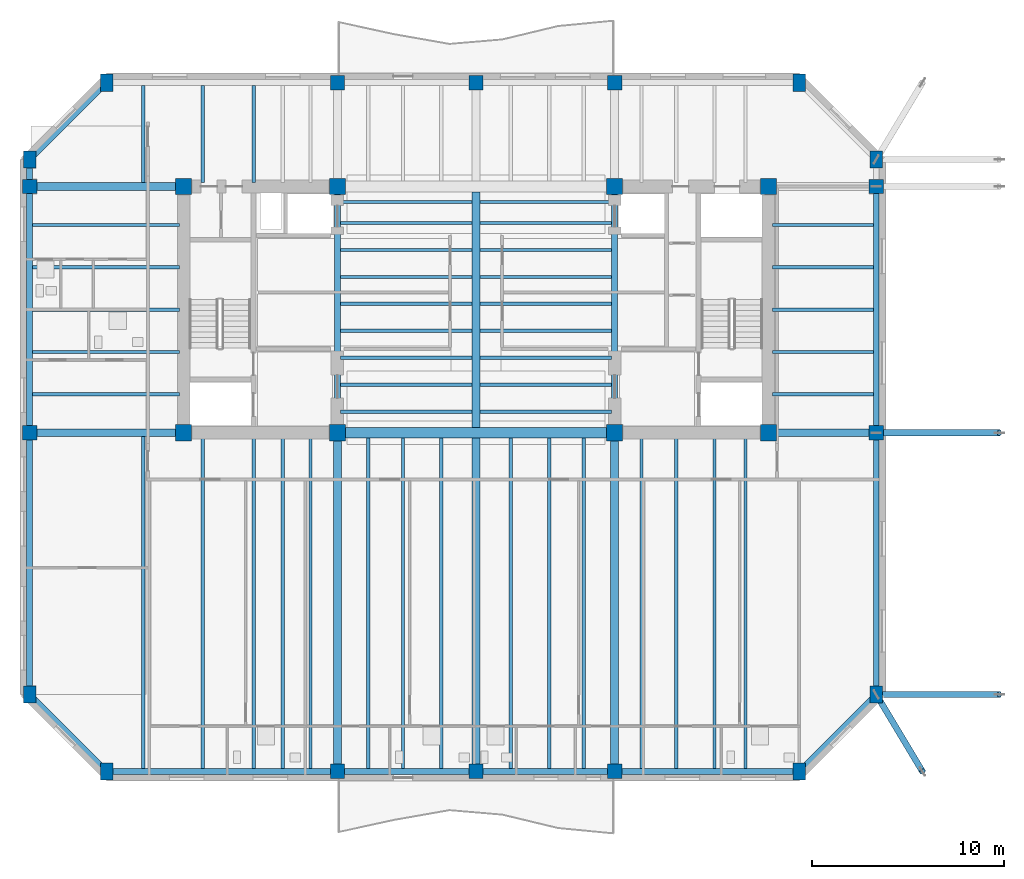
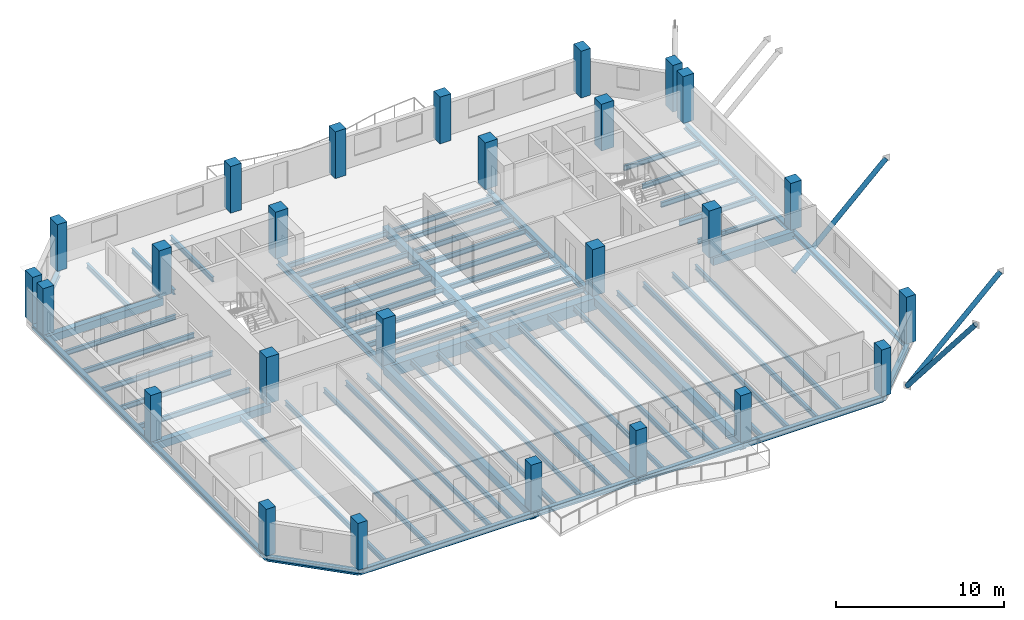
# One storey, part 1 of 12: 68 beams, 26 columns, 3 members.
"""IFC4 building model written with IfcOpenShell, lengths in metres."""

from ifc_helpers import new_model, si_unit, direction, frame, origin, origin_2d, place, context, subcontext, project, spatial, rectangle, hollow_circle, i_section, extrude, material, material_profile, profile_set, type_object, element, save


model = new_model("IFC4")

# Units and contexts
model_context = context("Model", 3, precision=1e-05, world=origin(), true_north=direction((0.0, 1.0)))
body_context = subcontext(model_context, "Body", "Model", "MODEL_VIEW")
ifc_project = project(units=[si_unit("LENGTHUNIT", "METRE"), si_unit("AREAUNIT", "SQUARE_METRE"), si_unit("VOLUMEUNIT", "CUBIC_METRE"), si_unit("PLANEANGLEUNIT", "RADIAN"), si_unit("MASSUNIT", "GRAM", prefix="KILO")], contexts=[model_context])

# Site, building, storey
site_placement = place(None, origin())
site = spatial("IfcSite", under=ifc_project, at=site_placement, CompositionType="ELEMENT")
building_placement = place(site_placement, origin())
building = spatial("IfcBuilding", under=site, at=building_placement, Name="Kranthara Brick Stack", CompositionType="ELEMENT")
storey_placement = place(building_placement, frame((0.0, 0.0, 224.5)))
storey = spatial("IfcBuildingStorey", under=building, at=storey_placement, Name="L58", CompositionType="ELEMENT", Elevation=224.5)

# Columns
ifc_material_1 = material(Name="Concrete C50/60", Category="concrete")
ifc_material_profile_1 = material_profile(ifc_material_1, rectangle(XDim=0.64990234375, YDim=0.89990234375, at=origin_2d()), Name="RC 650x900")
ifc_profile_set_1 = profile_set([ifc_material_profile_1], Name="Concrete C50/60")
column_type_1 = type_object("IfcColumnType", Name="COL-CHAM-650x900", PredefinedType="COLUMN", material=ifc_profile_set_1)
for number, where, z_axis, x_axis, name in (
    (1, (8.800048828125, 3.199951171875, 0.0), (0.0, 0.0, 1.0), (1.0, 0.0, 0.0), "L58 Column 09"),
    (2, (8.800048828125, 39.0, 0.0), (0.0, 0.0, 1.0), (1.0, 0.0, 0.0), "L58 Column 10"),
    (3, (44.800048828125, 3.199951171875, 0.0), (0.0, 0.0, 1.0), (1.0, 0.0, 0.0), "L58 Column 17"),
    (4, (44.800048828125, 39.0, 0.0), (0.0, 0.0, 1.0), (1.0, 0.0, 0.0), "L58 Column 18"),
    (5, (4.800048828125, 7.199951171875, 0.0), (0.0, 0.0, 1.0), (1.0, 0.0, 0.0), "L58 Column 19"),
    (6, (48.800048828125, 7.199951171875, 0.0), (0.0, 0.0, 1.0), (1.0, 0.0, 0.0), "L58 Column 20"),
    (7, (4.800048828125, 35.0, 0.0), (0.0, 0.0, 1.0), (1.0, 0.0, 0.0), "L58 Column 25"),
    (8, (48.800048828125, 35.0, 0.0), (0.0, 0.0, 1.0), (1.0, 0.0, 0.0), "L58 Column 26"),
):
    element("IfcColumn", number, at=place(storey_placement, frame(where, z_axis=z_axis, x_axis=x_axis)), inside=storey, type_object=column_type_1, Name=name, PredefinedType="COLUMN", context=body_context, shape_type="SweptSolid", body=[
        extrude(rectangle(XDim=0.64990234375, YDim=0.89990234375, at=origin_2d()), origin(), (0.0, 0.0, 1.0), 3.39990234375),
    ])
ifc_material_2 = material(Name="Concrete C50/60", Category="concrete")
ifc_material_profile_2 = material_profile(ifc_material_2, rectangle(XDim=0.85009765625, YDim=0.85009765625, at=origin_2d()), Name="RC 850x850")
ifc_profile_set_2 = profile_set([ifc_material_profile_2], Name="Concrete C50/60")
column_type_2 = type_object("IfcColumnType", Name="COL-CORE-850", PredefinedType="COLUMN", material=ifc_profile_set_2)
for number, where, z_axis, x_axis, name in (
    (9, (12.800048828125, 20.800048828125, 0.0), (0.0, 0.0, 1.0), (1.0, 0.0, 0.0), "L58 Column 01"),
    (10, (20.800048828125, 20.800048828125, 0.0), (0.0, 0.0, 1.0), (1.0, 0.0, 0.0), "L58 Column 02"),
    (11, (12.800048828125, 33.60009765625, 0.0), (0.0, 0.0, 1.0), (1.0, 0.0, 0.0), "L58 Column 03"),
    (12, (20.800048828125, 33.60009765625, 0.0), (0.0, 0.0, 1.0), (1.0, 0.0, 0.0), "L58 Column 04"),
    (13, (35.199951171875, 20.800048828125, 0.0), (0.0, 0.0, 1.0), (1.0, 0.0, 0.0), "L58 Column 05"),
    (14, (43.199951171875, 20.800048828125, 0.0), (0.0, 0.0, 1.0), (1.0, 0.0, 0.0), "L58 Column 06"),
    (15, (35.199951171875, 33.60009765625, 0.0), (0.0, 0.0, 1.0), (1.0, 0.0, 0.0), "L58 Column 07"),
    (16, (43.199951171875, 33.60009765625, 0.0), (0.0, 0.0, 1.0), (1.0, 0.0, 0.0), "L58 Column 08"),
):
    element("IfcColumn", number, at=place(storey_placement, frame(where, z_axis=z_axis, x_axis=x_axis)), inside=storey, type_object=column_type_2, Name=name, PredefinedType="COLUMN", context=body_context, shape_type="SweptSolid", body=[
        extrude(rectangle(XDim=0.85009765625, YDim=0.85009765625, at=origin_2d()), origin(), (0.0, 0.0, 1.0), 3.39990234375),
    ])
ifc_material_3 = material(Name="Concrete C50/60", Category="concrete")
ifc_material_profile_3 = material_profile(ifc_material_3, rectangle(XDim=0.75, YDim=0.75, at=origin_2d()), Name="RC 750x750")
ifc_profile_set_3 = profile_set([ifc_material_profile_3], Name="Concrete C50/60")
column_type_3 = type_object("IfcColumnType", Name="COL-PER-750", PredefinedType="COLUMN", material=ifc_profile_set_3)
for number, where, z_axis, x_axis, name in (
    (17, (20.800048828125, 3.199951171875, 0.0), (0.0, 0.0, 1.0), (1.0, 0.0, 0.0), "L58 Column 11"),
    (18, (20.800048828125, 39.0, 0.0), (0.0, 0.0, 1.0), (1.0, 0.0, 0.0), "L58 Column 12"),
    (19, (28.0, 3.199951171875, 0.0), (0.0, 0.0, 1.0), (1.0, 0.0, 0.0), "L58 Column 13"),
    (20, (28.0, 39.0, 0.0), (0.0, 0.0, 1.0), (1.0, 0.0, 0.0), "L58 Column 14"),
    (21, (35.199951171875, 3.199951171875, 0.0), (0.0, 0.0, 1.0), (1.0, 0.0, 0.0), "L58 Column 15"),
    (22, (35.199951171875, 39.0, 0.0), (0.0, 0.0, 1.0), (1.0, 0.0, 0.0), "L58 Column 16"),
    (23, (4.800048828125, 20.800048828125, 0.0), (0.0, 0.0, 1.0), (1.0, 0.0, 0.0), "L58 Column 21"),
    (24, (48.800048828125, 20.800048828125, 0.0), (0.0, 0.0, 1.0), (1.0, 0.0, 0.0), "L58 Column 22"),
    (25, (4.800048828125, 33.60009765625, 0.0), (0.0, 0.0, 1.0), (1.0, 0.0, 0.0), "L58 Column 23"),
    (26, (48.800048828125, 33.60009765625, 0.0), (0.0, 0.0, 1.0), (1.0, 0.0, 0.0), "L58 Column 24"),
):
    element("IfcColumn", number, at=place(storey_placement, frame(where, z_axis=z_axis, x_axis=x_axis)), inside=storey, type_object=column_type_3, Name=name, PredefinedType="COLUMN", context=body_context, shape_type="SweptSolid", body=[
        extrude(rectangle(XDim=0.75, YDim=0.75, at=origin_2d()), origin(), (0.0, 0.0, 1.0), 3.39990234375),
    ])

# Beams
ifc_material_4 = material(Name="Concrete C50/60", Category="concrete")
ifc_material_profile_4 = material_profile(ifc_material_4, rectangle(XDim=0.550048828125, YDim=0.85009765625, at=origin_2d()), Name="RC 550x850")
ifc_profile_set_4 = profile_set([ifc_material_profile_4], Name="Concrete C50/60")
beam_type_1 = type_object("IfcBeamType", Name="BM-CPL-RC850", PredefinedType="LINTEL", material=ifc_profile_set_4)
beam_1_placement = place(storey_placement, frame((20.800048828125, 20.800048828125, -0.72509765625), z_axis=(1.0, 0.0, 0.0), x_axis=(0.0, 1.0, 0.0)))
element("IfcBeam", 27, at=beam_1_placement, inside=storey, type_object=beam_type_1, Name="L58 Core Coupling Beam 001", PredefinedType="LINTEL", context=body_context, shape_type="SweptSolid", body=[
    extrude(rectangle(XDim=0.550048828125, YDim=0.85009765625, at=origin_2d()), origin(), (0.0, 0.0, 1.0), 14.39990234375),
])
ifc_material_5 = material(Name="Post-tensioned concrete C45/55", Category="concrete")
ifc_material_profile_5 = material_profile(ifc_material_5, rectangle(XDim=0.39990234375, YDim=0.550048828125, at=origin_2d()), Name="PT 400x550")
ifc_profile_set_5 = profile_set([ifc_material_profile_5], Name="Post-tensioned concrete C45/55")
beam_type_2 = type_object("IfcBeamType", Name="BM-FLR-PT550", PredefinedType="BEAM", material=ifc_profile_set_5)
beam_2_placement = place(storey_placement, frame((20.800048828125, 3.199951171875, -0.574951171875), z_axis=(0.0, 1.0, 0.0), x_axis=(-1.0, 0.0, 0.0)))
element("IfcBeam", 28, at=beam_2_placement, inside=storey, type_object=beam_type_2, Name="L58 Primary Grid Girder 023", PredefinedType="BEAM", context=body_context, shape_type="SweptSolid", body=[
    extrude(rectangle(XDim=0.39990234375, YDim=0.550048828125, at=origin_2d()), origin(), (0.0, 0.0, 1.0), 17.60009765625),
])
beam_3_placement = place(storey_placement, frame((28.0, 3.199951171875, -0.574951171875), z_axis=(0.0, 1.0, 0.0), x_axis=(-1.0, 0.0, 0.0)))
element("IfcBeam", 29, at=beam_3_placement, inside=storey, type_object=beam_type_2, Name="L58 Primary Grid Girder 025", PredefinedType="BEAM", context=body_context, shape_type="SweptSolid", body=[
    extrude(rectangle(XDim=0.39990234375, YDim=0.550048828125, at=origin_2d()), origin(), (0.0, 0.0, 1.0), 17.324951171875),
])
beam_4_placement = place(storey_placement, frame((28.0, 21.074951171875, -0.574951171875), z_axis=(0.0, 1.0, 0.0), x_axis=(-1.0, 0.0, 0.0)))
element("IfcBeam", 30, at=beam_4_placement, inside=storey, type_object=beam_type_2, Name="L58 Central Spine Girder 026", PredefinedType="BEAM", context=body_context, shape_type="SweptSolid", body=[
    extrude(rectangle(XDim=0.39990234375, YDim=0.550048828125, at=origin_2d()), origin(), (0.0, 0.0, 1.0), 12.25),
])
beam_5_placement = place(storey_placement, frame((35.199951171875, 3.199951171875, -0.574951171875), z_axis=(0.0, 1.0, 0.0), x_axis=(-1.0, 0.0, 0.0)))
element("IfcBeam", 31, at=beam_5_placement, inside=storey, type_object=beam_type_2, Name="L58 Primary Grid Girder 028", PredefinedType="BEAM", context=body_context, shape_type="SweptSolid", body=[
    extrude(rectangle(XDim=0.39990234375, YDim=0.550048828125, at=origin_2d()), origin(), (0.0, 0.0, 1.0), 17.60009765625),
])
beam_6_placement = place(storey_placement, frame((4.800048828125, 20.800048828125, -0.574951171875), z_axis=(1.0, 0.0, 0.0), x_axis=(0.0, 1.0, 0.0)))
element("IfcBeam", 32, at=beam_6_placement, inside=storey, type_object=beam_type_2, Name="L58 Primary Grid Girder 030", PredefinedType="BEAM", context=body_context, shape_type="SweptSolid", body=[
    extrude(rectangle(XDim=0.39990234375, YDim=0.550048828125, at=origin_2d()), origin(), (0.0, 0.0, 1.0), 8.0),
])
beam_7_placement = place(storey_placement, frame((43.199951171875, 20.800048828125, -0.574951171875), z_axis=(1.0, 0.0, 0.0), x_axis=(0.0, 1.0, 0.0)))
element("IfcBeam", 33, at=beam_7_placement, inside=storey, type_object=beam_type_2, Name="L58 Primary Grid Girder 031", PredefinedType="BEAM", context=body_context, shape_type="SweptSolid", body=[
    extrude(rectangle(XDim=0.39990234375, YDim=0.550048828125, at=origin_2d()), origin(), (0.0, 0.0, 1.0), 5.60009765625),
])
beam_8_placement = place(storey_placement, frame((4.800048828125, 33.60009765625, -0.574951171875), z_axis=(1.0, 0.0, 0.0), x_axis=(0.0, 1.0, 0.0)))
element("IfcBeam", 34, at=beam_8_placement, inside=storey, type_object=beam_type_2, Name="L58 Primary Grid Girder 032", PredefinedType="BEAM", context=body_context, shape_type="SweptSolid", body=[
    extrude(rectangle(XDim=0.39990234375, YDim=0.550048828125, at=origin_2d()), origin(), (0.0, 0.0, 1.0), 8.0),
])
ifc_material_6 = material(Name="Steel S355", Category="steel")
ifc_material_profile_6 = material_profile(ifc_material_6, i_section(OverallWidth=0.169921875, OverallDepth=0.360107421875, WebThickness=0.008056640625, FlangeThickness=0.0126953125, at=origin_2d()), Name="IPE 360")
ifc_profile_set_6 = profile_set([ifc_material_profile_6], Name="Steel S355")
beam_type_3 = type_object("IfcBeamType", Name="BM-JST-IPE360", PredefinedType="JOIST", material=ifc_profile_set_6)
for number, where, z_axis, x_axis, name in (
    (35, (20.949951171875, 21.89990234375, -0.47998046875), (1.0, 0.0, 0.0), (0.0, 1.0, 0.0), "L58 Central Floor Joist 034"),
    (36, (28.199951171875, 21.89990234375, -0.47998046875), (1.0, 0.0, 0.0), (0.0, 1.0, 0.0), "L58 Central Floor Joist 035"),
    (37, (20.949951171875, 23.300048828125, -0.47998046875), (1.0, 0.0, 0.0), (0.0, 1.0, 0.0), "L58 Central Floor Joist 036"),
    (38, (28.199951171875, 23.300048828125, -0.47998046875), (1.0, 0.0, 0.0), (0.0, 1.0, 0.0), "L58 Central Floor Joist 037"),
    (39, (20.949951171875, 24.699951171875, -0.47998046875), (1.0, 0.0, 0.0), (0.0, 1.0, 0.0), "L58 Central Floor Joist 038"),
    (40, (28.199951171875, 24.699951171875, -0.47998046875), (1.0, 0.0, 0.0), (0.0, 1.0, 0.0), "L58 Central Floor Joist 039"),
    (41, (20.949951171875, 26.10009765625, -0.47998046875), (1.0, 0.0, 0.0), (0.0, 1.0, 0.0), "L58 Central Floor Joist 040"),
    (42, (28.199951171875, 26.10009765625, -0.47998046875), (1.0, 0.0, 0.0), (0.0, 1.0, 0.0), "L58 Central Floor Joist 041"),
    (43, (20.949951171875, 27.5, -0.47998046875), (1.0, 0.0, 0.0), (0.0, 1.0, 0.0), "L58 Central Floor Joist 042"),
    (44, (28.199951171875, 27.5, -0.47998046875), (1.0, 0.0, 0.0), (0.0, 1.0, 0.0), "L58 Central Floor Joist 043"),
    (45, (20.949951171875, 28.89990234375, -0.47998046875), (1.0, 0.0, 0.0), (0.0, 1.0, 0.0), "L58 Central Floor Joist 044"),
    (46, (28.199951171875, 28.89990234375, -0.47998046875), (1.0, 0.0, 0.0), (0.0, 1.0, 0.0), "L58 Central Floor Joist 045"),
    (47, (20.949951171875, 30.300048828125, -0.47998046875), (1.0, 0.0, 0.0), (0.0, 1.0, 0.0), "L58 Central Floor Joist 046"),
    (48, (28.199951171875, 30.300048828125, -0.47998046875), (1.0, 0.0, 0.0), (0.0, 1.0, 0.0), "L58 Central Floor Joist 047"),
    (49, (20.949951171875, 31.699951171875, -0.47998046875), (1.0, 0.0, 0.0), (0.0, 1.0, 0.0), "L58 Central Floor Joist 048"),
    (50, (28.199951171875, 31.699951171875, -0.47998046875), (1.0, 0.0, 0.0), (0.0, 1.0, 0.0), "L58 Central Floor Joist 049"),
    (51, (20.949951171875, 32.800048828125, -0.47998046875), (1.0, 0.0, 0.0), (0.0, 1.0, 0.0), "L58 Central Floor Joist 050"),
    (52, (28.199951171875, 32.800048828125, -0.47998046875), (1.0, 0.0, 0.0), (0.0, 1.0, 0.0), "L58 Central Floor Joist 051"),
):
    element("IfcBeam", number, at=place(storey_placement, frame(where, z_axis=z_axis, x_axis=x_axis)), inside=storey, type_object=beam_type_3, Name=name, PredefinedType="JOIST", context=body_context, shape_type="SweptSolid", body=[
        extrude(i_section(OverallWidth=0.169921875, OverallDepth=0.360107421875, WebThickness=0.008056640625, FlangeThickness=0.0126953125, at=origin_2d()), origin(), (0.0, 0.0, 1.0), 6.85009765625),
    ])
beam_9_placement = place(storey_placement, frame((10.699951171875, 3.35009765625, -0.47998046875), z_axis=(0.0, 1.0, 0.0), x_axis=(-1.0, 0.0, 0.0)))
element("IfcBeam", 53, at=beam_9_placement, inside=storey, type_object=beam_type_3, Name="L58 South Wing Floor Joist 052", PredefinedType="JOIST", context=body_context, shape_type="SweptSolid", body=[
    extrude(i_section(OverallWidth=0.169921875, OverallDepth=0.360107421875, WebThickness=0.008056640625, FlangeThickness=0.0126953125, at=origin_2d()), origin(), (0.0, 0.0, 1.0), 17.25),
])
beam_10_placement = place(storey_placement, frame((10.699951171875, 33.800048828125, -0.47998046875), z_axis=(0.0, 1.0, 0.0), x_axis=(-1.0, 0.0, 0.0)))
element("IfcBeam", 54, at=beam_10_placement, inside=storey, type_object=beam_type_3, Name="L58 North Wing Floor Joist 053", PredefinedType="JOIST", context=body_context, shape_type="SweptSolid", body=[
    extrude(i_section(OverallWidth=0.169921875, OverallDepth=0.360107421875, WebThickness=0.008056640625, FlangeThickness=0.0126953125, at=origin_2d()), origin(), (0.0, 0.0, 1.0), 5.050048828125),
])
beam_11_placement = place(storey_placement, frame((13.800048828125, 3.35009765625, -0.47998046875), z_axis=(0.0, 1.0, 0.0), x_axis=(-1.0, 0.0, 0.0)))
element("IfcBeam", 55, at=beam_11_placement, inside=storey, type_object=beam_type_3, Name="L58 South Wing Floor Joist 054", PredefinedType="JOIST", context=body_context, shape_type="SweptSolid", body=[
    extrude(i_section(OverallWidth=0.169921875, OverallDepth=0.360107421875, WebThickness=0.008056640625, FlangeThickness=0.0126953125, at=origin_2d()), origin(), (0.0, 0.0, 1.0), 17.25),
])
beam_12_placement = place(storey_placement, frame((13.800048828125, 33.800048828125, -0.47998046875), z_axis=(0.0, 1.0, 0.0), x_axis=(-1.0, 0.0, 0.0)))
element("IfcBeam", 56, at=beam_12_placement, inside=storey, type_object=beam_type_3, Name="L58 North Wing Floor Joist 055", PredefinedType="JOIST", context=body_context, shape_type="SweptSolid", body=[
    extrude(i_section(OverallWidth=0.169921875, OverallDepth=0.360107421875, WebThickness=0.008056640625, FlangeThickness=0.0126953125, at=origin_2d()), origin(), (0.0, 0.0, 1.0), 5.050048828125),
])
beam_13_placement = place(storey_placement, frame((16.449951171875, 3.35009765625, -0.47998046875), z_axis=(0.0, 1.0, 0.0), x_axis=(-1.0, 0.0, 0.0)))
element("IfcBeam", 57, at=beam_13_placement, inside=storey, type_object=beam_type_3, Name="L58 South Wing Floor Joist 056", PredefinedType="JOIST", context=body_context, shape_type="SweptSolid", body=[
    extrude(i_section(OverallWidth=0.169921875, OverallDepth=0.360107421875, WebThickness=0.008056640625, FlangeThickness=0.0126953125, at=origin_2d()), origin(), (0.0, 0.0, 1.0), 17.25),
])
beam_14_placement = place(storey_placement, frame((16.449951171875, 33.800048828125, -0.47998046875), z_axis=(0.0, 1.0, 0.0), x_axis=(-1.0, 0.0, 0.0)))
element("IfcBeam", 58, at=beam_14_placement, inside=storey, type_object=beam_type_3, Name="L58 North Wing Floor Joist 057", PredefinedType="JOIST", context=body_context, shape_type="SweptSolid", body=[
    extrude(i_section(OverallWidth=0.169921875, OverallDepth=0.360107421875, WebThickness=0.008056640625, FlangeThickness=0.0126953125, at=origin_2d()), origin(), (0.0, 0.0, 1.0), 5.050048828125),
])
for number, where, z_axis, x_axis, name in (
    (59, (17.949951171875, 3.35009765625, -0.47998046875), (0.0, 1.0, 0.0), (-1.0, 0.0, 0.0), "L58 South Wing Floor Joist 058"),
    (60, (19.39990234375, 3.35009765625, -0.47998046875), (0.0, 1.0, 0.0), (-1.0, 0.0, 0.0), "L58 South Wing Floor Joist 060"),
):
    element("IfcBeam", number, at=place(storey_placement, frame(where, z_axis=z_axis, x_axis=x_axis)), inside=storey, type_object=beam_type_3, Name=name, PredefinedType="JOIST", context=body_context, shape_type="SweptSolid", body=[
        extrude(i_section(OverallWidth=0.169921875, OverallDepth=0.360107421875, WebThickness=0.008056640625, FlangeThickness=0.0126953125, at=origin_2d()), origin(), (0.0, 0.0, 1.0), 17.25),
    ])
for number, where, z_axis, x_axis, name in (
    (61, (22.39990234375, 3.35009765625, -0.47998046875), (0.0, 1.0, 0.0), (-1.0, 0.0, 0.0), "L58 South Wing Floor Joist 062"),
    (62, (24.199951171875, 3.35009765625, -0.47998046875), (0.0, 1.0, 0.0), (-1.0, 0.0, 0.0), "L58 South Wing Floor Joist 064"),
    (63, (26.199951171875, 3.35009765625, -0.47998046875), (0.0, 1.0, 0.0), (-1.0, 0.0, 0.0), "L58 South Wing Floor Joist 066"),
    (64, (29.800048828125, 3.35009765625, -0.47998046875), (0.0, 1.0, 0.0), (-1.0, 0.0, 0.0), "L58 South Wing Floor Joist 068"),
    (65, (31.800048828125, 3.35009765625, -0.47998046875), (0.0, 1.0, 0.0), (-1.0, 0.0, 0.0), "L58 South Wing Floor Joist 070"),
    (66, (33.60009765625, 3.35009765625, -0.47998046875), (0.0, 1.0, 0.0), (-1.0, 0.0, 0.0), "L58 South Wing Floor Joist 072"),
):
    element("IfcBeam", number, at=place(storey_placement, frame(where, z_axis=z_axis, x_axis=x_axis)), inside=storey, type_object=beam_type_3, Name=name, PredefinedType="JOIST", context=body_context, shape_type="SweptSolid", body=[
        extrude(i_section(OverallWidth=0.169921875, OverallDepth=0.360107421875, WebThickness=0.008056640625, FlangeThickness=0.0126953125, at=origin_2d()), origin(), (0.0, 0.0, 1.0), 17.1748046875),
    ])
for number, where, z_axis, x_axis, name in (
    (67, (36.60009765625, 3.35009765625, -0.47998046875), (0.0, 1.0, 0.0), (-1.0, 0.0, 0.0), "L58 South Wing Floor Joist 074"),
    (68, (38.39990234375, 3.35009765625, -0.47998046875), (0.0, 1.0, 0.0), (-1.0, 0.0, 0.0), "L58 South Wing Floor Joist 076"),
    (69, (40.39990234375, 3.35009765625, -0.47998046875), (0.0, 1.0, 0.0), (-1.0, 0.0, 0.0), "L58 South Wing Floor Joist 078"),
    (70, (42.0, 3.35009765625, -0.47998046875), (0.0, 1.0, 0.0), (-1.0, 0.0, 0.0), "L58 South Wing Floor Joist 080"),
):
    element("IfcBeam", number, at=place(storey_placement, frame(where, z_axis=z_axis, x_axis=x_axis)), inside=storey, type_object=beam_type_3, Name=name, PredefinedType="JOIST", context=body_context, shape_type="SweptSolid", body=[
        extrude(i_section(OverallWidth=0.169921875, OverallDepth=0.360107421875, WebThickness=0.008056640625, FlangeThickness=0.0126953125, at=origin_2d()), origin(), (0.0, 0.0, 1.0), 17.25),
    ])
beam_15_placement = place(storey_placement, frame((4.949951171875, 22.800048828125, -0.47998046875), z_axis=(1.0, 0.0, 0.0), x_axis=(0.0, 1.0, 0.0)))
element("IfcBeam", 71, at=beam_15_placement, inside=storey, type_object=beam_type_3, Name="L58 West Wing Floor Joist 082", PredefinedType="JOIST", context=body_context, shape_type="SweptSolid", body=[
    extrude(i_section(OverallWidth=0.169921875, OverallDepth=0.360107421875, WebThickness=0.008056640625, FlangeThickness=0.0126953125, at=origin_2d()), origin(), (0.0, 0.0, 1.0), 7.650146484375),
])
beam_16_placement = place(storey_placement, frame((43.39990234375, 22.800048828125, -0.47998046875), z_axis=(1.0, 0.0, 0.0), x_axis=(0.0, 1.0, 0.0)))
element("IfcBeam", 72, at=beam_16_placement, inside=storey, type_object=beam_type_3, Name="L58 East Wing Floor Joist 083", PredefinedType="JOIST", context=body_context, shape_type="SweptSolid", body=[
    extrude(i_section(OverallWidth=0.169921875, OverallDepth=0.360107421875, WebThickness=0.008056640625, FlangeThickness=0.0126953125, at=origin_2d()), origin(), (0.0, 0.0, 1.0), 5.25),
])
beam_17_placement = place(storey_placement, frame((4.949951171875, 25.0, -0.47998046875), z_axis=(1.0, 0.0, 0.0), x_axis=(0.0, 1.0, 0.0)))
element("IfcBeam", 73, at=beam_17_placement, inside=storey, type_object=beam_type_3, Name="L58 West Wing Floor Joist 084", PredefinedType="JOIST", context=body_context, shape_type="SweptSolid", body=[
    extrude(i_section(OverallWidth=0.169921875, OverallDepth=0.360107421875, WebThickness=0.008056640625, FlangeThickness=0.0126953125, at=origin_2d()), origin(), (0.0, 0.0, 1.0), 7.650146484375),
])
beam_18_placement = place(storey_placement, frame((43.39990234375, 25.0, -0.47998046875), z_axis=(1.0, 0.0, 0.0), x_axis=(0.0, 1.0, 0.0)))
element("IfcBeam", 74, at=beam_18_placement, inside=storey, type_object=beam_type_3, Name="L58 East Wing Floor Joist 085", PredefinedType="JOIST", context=body_context, shape_type="SweptSolid", body=[
    extrude(i_section(OverallWidth=0.169921875, OverallDepth=0.360107421875, WebThickness=0.008056640625, FlangeThickness=0.0126953125, at=origin_2d()), origin(), (0.0, 0.0, 1.0), 5.25),
])
beam_19_placement = place(storey_placement, frame((4.949951171875, 27.199951171875, -0.47998046875), z_axis=(1.0, 0.0, 0.0), x_axis=(0.0, 1.0, 0.0)))
element("IfcBeam", 75, at=beam_19_placement, inside=storey, type_object=beam_type_3, Name="L58 West Wing Floor Joist 086", PredefinedType="JOIST", context=body_context, shape_type="SweptSolid", body=[
    extrude(i_section(OverallWidth=0.169921875, OverallDepth=0.360107421875, WebThickness=0.008056640625, FlangeThickness=0.0126953125, at=origin_2d()), origin(), (0.0, 0.0, 1.0), 7.650146484375),
])
beam_20_placement = place(storey_placement, frame((43.39990234375, 27.199951171875, -0.47998046875), z_axis=(1.0, 0.0, 0.0), x_axis=(0.0, 1.0, 0.0)))
element("IfcBeam", 76, at=beam_20_placement, inside=storey, type_object=beam_type_3, Name="L58 East Wing Floor Joist 087", PredefinedType="JOIST", context=body_context, shape_type="SweptSolid", body=[
    extrude(i_section(OverallWidth=0.169921875, OverallDepth=0.360107421875, WebThickness=0.008056640625, FlangeThickness=0.0126953125, at=origin_2d()), origin(), (0.0, 0.0, 1.0), 5.25),
])
beam_21_placement = place(storey_placement, frame((4.949951171875, 29.39990234375, -0.47998046875), z_axis=(1.0, 0.0, 0.0), x_axis=(0.0, 1.0, 0.0)))
element("IfcBeam", 77, at=beam_21_placement, inside=storey, type_object=beam_type_3, Name="L58 West Wing Floor Joist 088", PredefinedType="JOIST", context=body_context, shape_type="SweptSolid", body=[
    extrude(i_section(OverallWidth=0.169921875, OverallDepth=0.360107421875, WebThickness=0.008056640625, FlangeThickness=0.0126953125, at=origin_2d()), origin(), (0.0, 0.0, 1.0), 7.650146484375),
])
beam_22_placement = place(storey_placement, frame((43.39990234375, 29.39990234375, -0.47998046875), z_axis=(1.0, 0.0, 0.0), x_axis=(0.0, 1.0, 0.0)))
element("IfcBeam", 78, at=beam_22_placement, inside=storey, type_object=beam_type_3, Name="L58 East Wing Floor Joist 089", PredefinedType="JOIST", context=body_context, shape_type="SweptSolid", body=[
    extrude(i_section(OverallWidth=0.169921875, OverallDepth=0.360107421875, WebThickness=0.008056640625, FlangeThickness=0.0126953125, at=origin_2d()), origin(), (0.0, 0.0, 1.0), 5.25),
])
beam_23_placement = place(storey_placement, frame((4.949951171875, 31.60009765625, -0.47998046875), z_axis=(1.0, 0.0, 0.0), x_axis=(0.0, 1.0, 0.0)))
element("IfcBeam", 79, at=beam_23_placement, inside=storey, type_object=beam_type_3, Name="L58 West Wing Floor Joist 090", PredefinedType="JOIST", context=body_context, shape_type="SweptSolid", body=[
    extrude(i_section(OverallWidth=0.169921875, OverallDepth=0.360107421875, WebThickness=0.008056640625, FlangeThickness=0.0126953125, at=origin_2d()), origin(), (0.0, 0.0, 1.0), 7.650146484375),
])
beam_24_placement = place(storey_placement, frame((43.39990234375, 31.60009765625, -0.47998046875), z_axis=(1.0, 0.0, 0.0), x_axis=(0.0, 1.0, 0.0)))
element("IfcBeam", 80, at=beam_24_placement, inside=storey, type_object=beam_type_3, Name="L58 East Wing Floor Joist 091", PredefinedType="JOIST", context=body_context, shape_type="SweptSolid", body=[
    extrude(i_section(OverallWidth=0.169921875, OverallDepth=0.360107421875, WebThickness=0.008056640625, FlangeThickness=0.0126953125, at=origin_2d()), origin(), (0.0, 0.0, 1.0), 5.25),
])
ifc_material_7 = material(Name="Steel S355", Category="steel")
ifc_material_profile_7 = material_profile(ifc_material_7, i_section(OverallWidth=0.300048828125, OverallDepth=0.360107421875, WebThickness=0.012451171875, FlangeThickness=0.0224609375, at=origin_2d()), Name="HEB 360")
ifc_profile_set_7 = profile_set([ifc_material_profile_7], Name="Steel S355")
beam_type_4 = type_object("IfcBeamType", Name="BM-STL-HEB360", PredefinedType="SPANDREL", material=ifc_profile_set_7)
beam_25_placement = place(storey_placement, frame((8.800048828125, 3.199951171875, -0.47998046875), z_axis=(1.0, 0.0, 0.0), x_axis=(0.0, 1.0, 0.0)))
element("IfcBeam", 81, at=beam_25_placement, inside=storey, type_object=beam_type_4, Name="L58 Perimeter Spandrel Beam 005", PredefinedType="SPANDREL", context=body_context, shape_type="SweptSolid", body=[
    extrude(i_section(OverallWidth=0.300048828125, OverallDepth=0.360107421875, WebThickness=0.012451171875, FlangeThickness=0.0224609375, at=origin_2d()), origin(), (0.0, 0.0, 1.0), 12.0),
])
for number, where, z_axis, x_axis, name in (
    (82, (20.800048828125, 3.199951171875, -0.47998046875), (1.0, 0.0, 0.0), (0.0, 1.0, 0.0), "L58 Perimeter Spandrel Beam 006"),
    (83, (28.0, 3.199951171875, -0.47998046875), (1.0, 0.0, 0.0), (0.0, 1.0, 0.0), "L58 Perimeter Spandrel Beam 007"),
):
    element("IfcBeam", number, at=place(storey_placement, frame(where, z_axis=z_axis, x_axis=x_axis)), inside=storey, type_object=beam_type_4, Name=name, PredefinedType="SPANDREL", context=body_context, shape_type="SweptSolid", body=[
        extrude(i_section(OverallWidth=0.300048828125, OverallDepth=0.360107421875, WebThickness=0.012451171875, FlangeThickness=0.0224609375, at=origin_2d()), origin(), (0.0, 0.0, 1.0), 7.199951171875),
    ])
beam_26_placement = place(storey_placement, frame((35.199951171875, 3.199951171875, -0.47998046875), z_axis=(1.0, 0.0, 0.0), x_axis=(0.0, 1.0, 0.0)))
element("IfcBeam", 84, at=beam_26_placement, inside=storey, type_object=beam_type_4, Name="L58 Perimeter Spandrel Beam 008", PredefinedType="SPANDREL", context=body_context, shape_type="SweptSolid", body=[
    extrude(i_section(OverallWidth=0.300048828125, OverallDepth=0.360107421875, WebThickness=0.012451171875, FlangeThickness=0.0224609375, at=origin_2d()), origin(), (0.0, 0.0, 1.0), 9.60009765625),
])
beam_27_placement = place(storey_placement, frame((4.800048828125, 7.199951171875, -0.47998046875), z_axis=(0.0, 1.0, 0.0), x_axis=(-1.0, 0.0, 0.0)))
element("IfcBeam", 85, at=beam_27_placement, inside=storey, type_object=beam_type_4, Name="L58 Perimeter Spandrel Beam 013", PredefinedType="SPANDREL", context=body_context, shape_type="SweptSolid", body=[
    extrude(i_section(OverallWidth=0.300048828125, OverallDepth=0.360107421875, WebThickness=0.012451171875, FlangeThickness=0.0224609375, at=origin_2d()), origin(), (0.0, 0.0, 1.0), 13.60009765625),
])
beam_28_placement = place(storey_placement, frame((4.800048828125, 20.800048828125, -0.47998046875), z_axis=(0.0, 1.0, 0.0), x_axis=(-1.0, 0.0, 0.0)))
element("IfcBeam", 86, at=beam_28_placement, inside=storey, type_object=beam_type_4, Name="L58 Perimeter Spandrel Beam 014", PredefinedType="SPANDREL", context=body_context, shape_type="SweptSolid", body=[
    extrude(i_section(OverallWidth=0.300048828125, OverallDepth=0.360107421875, WebThickness=0.012451171875, FlangeThickness=0.0224609375, at=origin_2d()), origin(), (0.0, 0.0, 1.0), 12.800048828125),
])
beam_29_placement = place(storey_placement, frame((4.800048828125, 33.60009765625, -0.47998046875), z_axis=(0.0, 1.0, 0.0), x_axis=(-1.0, 0.0, 0.0)))
element("IfcBeam", 87, at=beam_29_placement, inside=storey, type_object=beam_type_4, Name="L58 Perimeter Spandrel Beam 015", PredefinedType="SPANDREL", context=body_context, shape_type="SweptSolid", body=[
    extrude(i_section(OverallWidth=0.300048828125, OverallDepth=0.360107421875, WebThickness=0.012451171875, FlangeThickness=0.0224609375, at=origin_2d()), origin(), (0.0, 0.0, 1.0), 1.39990234375),
])
beam_30_placement = place(storey_placement, frame((48.800048828125, 7.199951171875, -0.47998046875), z_axis=(0.0, 1.0, 0.0), x_axis=(-1.0, 0.0, 0.0)))
element("IfcBeam", 88, at=beam_30_placement, inside=storey, type_object=beam_type_4, Name="L58 Perimeter Spandrel Beam 016", PredefinedType="SPANDREL", context=body_context, shape_type="SweptSolid", body=[
    extrude(i_section(OverallWidth=0.300048828125, OverallDepth=0.360107421875, WebThickness=0.012451171875, FlangeThickness=0.0224609375, at=origin_2d()), origin(), (0.0, 0.0, 1.0), 13.60009765625),
])
beam_31_placement = place(storey_placement, frame((48.800048828125, 20.800048828125, -0.47998046875), z_axis=(0.0, 1.0, 0.0), x_axis=(-1.0, 0.0, 0.0)))
element("IfcBeam", 89, at=beam_31_placement, inside=storey, type_object=beam_type_4, Name="L58 Perimeter Spandrel Beam 017", PredefinedType="SPANDREL", context=body_context, shape_type="SweptSolid", body=[
    extrude(i_section(OverallWidth=0.300048828125, OverallDepth=0.360107421875, WebThickness=0.012451171875, FlangeThickness=0.0224609375, at=origin_2d()), origin(), (0.0, 0.0, 1.0), 12.800048828125),
])
for number, where, z_axis, x_axis, name in (
    (90, (8.800048828125, 3.199951171875, -0.47998046875), (-0.707106781187, 0.707106781187, 0.0), (-0.707106781187, -0.707106781187, 0.0), "L58 Chamfer Corner Spandrel 019"),
    (91, (44.800048828125, 3.199951171875, -0.47998046875), (0.707106781187, 0.707106781187, 0.0), (-0.707106781187, 0.707106781187, 0.0), "L58 Chamfer Corner Spandrel 020"),
    (92, (8.800048828125, 39.0, -0.47998046875), (-0.707106781187, -0.707106781187, 0.0), (0.707106781187, -0.707106781187, 0.0), "L58 Chamfer Corner Spandrel 021"),
):
    element("IfcBeam", number, at=place(storey_placement, frame(where, z_axis=z_axis, x_axis=x_axis)), inside=storey, type_object=beam_type_4, Name=name, PredefinedType="SPANDREL", context=body_context, shape_type="SweptSolid", body=[
        extrude(i_section(OverallWidth=0.300048828125, OverallDepth=0.360107421875, WebThickness=0.012451171875, FlangeThickness=0.0224609375, at=origin_2d()), origin(), (0.0, 0.0, 1.0), 5.65673828125),
    ])
ifc_material_8 = material(Name="Steel S355", Category="steel")
ifc_material_profile_8 = material_profile(ifc_material_8, i_section(OverallWidth=0.300048828125, OverallDepth=0.449951171875, WebThickness=0.013916015625, FlangeThickness=0.02587890625, at=origin_2d()), Name="HEB 450")
ifc_profile_set_8 = profile_set([ifc_material_profile_8], Name="Steel S355")
beam_type_5 = type_object("IfcBeamType", Name="BM-STL-HEB450", PredefinedType="SPANDREL", material=ifc_profile_set_8)
for number, where, z_axis, x_axis, name in (
    (93, (20.800048828125, 20.800048828125, -0.52490234375), (0.0, 1.0, 0.0), (-1.0, 0.0, 0.0), "L58 Core Edge Tie Beam 003"),
    (94, (35.199951171875, 20.800048828125, -0.52490234375), (0.0, 1.0, 0.0), (-1.0, 0.0, 0.0), "L58 Core Edge Tie Beam 004"),
):
    element("IfcBeam", number, at=place(storey_placement, frame(where, z_axis=z_axis, x_axis=x_axis)), inside=storey, type_object=beam_type_5, Name=name, PredefinedType="SPANDREL", context=body_context, shape_type="SweptSolid", body=[
        extrude(i_section(OverallWidth=0.300048828125, OverallDepth=0.449951171875, WebThickness=0.013916015625, FlangeThickness=0.02587890625, at=origin_2d()), origin(), (0.0, 0.0, 1.0), 12.800048828125),
    ])

# Members
ifc_material_9 = material(Name="Steel S355", Category="steel")
ifc_material_profile_9 = material_profile(ifc_material_9, hollow_circle(Radius=0.161865234375, WallThickness=0.01611328125, at=origin_2d()), Name="CHS 323.9x16")
ifc_profile_set_9 = profile_set([ifc_material_profile_9], Name="Steel S355")
member_type = type_object("IfcMemberType", Name="MB-STR-CHS324", PredefinedType="STRUT", material=ifc_profile_set_9)
member_placement = place(storey_placement, frame((48.800048828125, 7.199951171875, -3.39990234375), z_axis=(0.314150071943, -0.523604758771, 0.791926631002), x_axis=(0.857502161653, 0.51448036188, 0.0)))
element("IfcMember", 95, at=member_placement, inside=storey, type_object=member_type, Name="L59 Jenga Raked Transfer Strut 53", PredefinedType="STRUT", context=body_context, shape_type="SweptSolid", body=[
    extrude(hollow_circle(Radius=0.161865234375, WallThickness=0.01611328125, at=origin_2d()), origin(), (0.0, 0.0, 1.0), 7.639404296875),
])
for number, where, z_axis, x_axis, name in (
    (96, (48.800048828125, 7.199951171875, -3.39990234375), (0.726704021772, 0.0, 0.686950700371), (0.0, 1.0, 0.0), "L59 Jenga Raked Transfer Strut 55"),
    (97, (48.800048828125, 20.800048828125, -3.39990234375), (0.726704021772, 0.0, 0.686950700371), (0.0, 1.0, 0.0), "L59 Jenga Raked Transfer Strut 56"),
):
    element("IfcMember", number, at=place(storey_placement, frame(where, z_axis=z_axis, x_axis=x_axis)), inside=storey, type_object=member_type, Name=name, PredefinedType="STRUT", context=body_context, shape_type="SweptSolid", body=[
        extrude(hollow_circle(Radius=0.161865234375, WallThickness=0.01611328125, at=origin_2d()), origin(), (0.0, 0.0, 1.0), 8.806640625),
    ])

save(model, "model.ifc")
